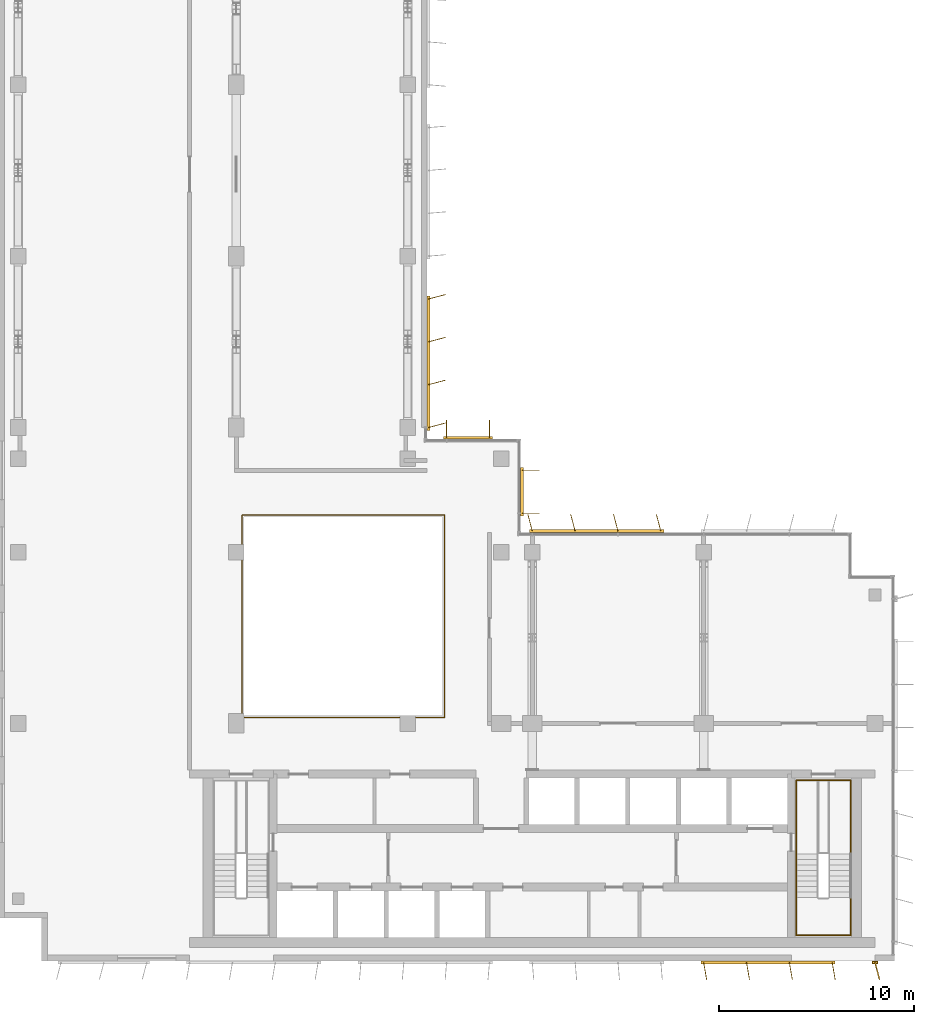
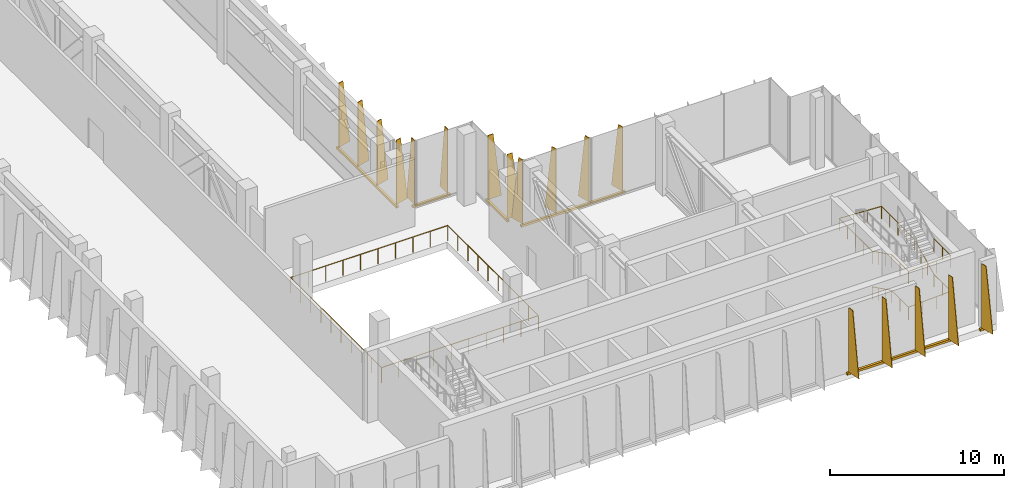
# One storey, part 11 of 13: 6 shading devices, 3 railings.
"""IFC4 building model written with IfcOpenShell, lengths in metres."""

from ifc_helpers import new_model, si_unit, direction, frame, origin, origin_2d, place, context, subcontext, project, spatial, polyline, rectangle, circle, outline, extrude, source, transform, mapped, material, layer, layer_set, type_object, element, save


model = new_model("IFC4")

# Units and contexts
model_context = context("Model", 3, precision=1e-05, world=origin(), true_north=direction((0.0, 1.0)))
body_context = subcontext(model_context, "Body", "Model", "MODEL_VIEW")
ifc_project = project(units=[si_unit("LENGTHUNIT", "METRE"), si_unit("AREAUNIT", "SQUARE_METRE"), si_unit("VOLUMEUNIT", "CUBIC_METRE"), si_unit("PLANEANGLEUNIT", "RADIAN"), si_unit("MASSUNIT", "GRAM", prefix="KILO")], contexts=[model_context])

# Site, building, storey
site_placement = place(None, origin())
site = spatial("IfcSite", under=ifc_project, at=site_placement, CompositionType="ELEMENT")
building_placement = place(site_placement, origin())
building = spatial("IfcBuilding", under=site, at=building_placement, Name="Kemantara Hotel Tower", CompositionType="ELEMENT")
storey_placement = place(building_placement, frame((0.0, 0.0, 256.10009765625)))
storey = spatial("IfcBuildingStorey", under=building, at=storey_placement, Name="L64", CompositionType="ELEMENT", Elevation=256.10009765625)

# Railings
ifc_material_1 = material(Name="Stainless steel balustrade", Category="steel")
railing_type_1 = type_object("IfcRailingType", Name="STAINLESS STEEL GUARD 1100", PredefinedType="GUARDRAIL", material=ifc_material_1)
railing_1_placement = place(storey_placement, frame((12.5, 12.5, 0.0)))
element("IfcRailing", 1, at=railing_1_placement, inside=storey, type_object=railing_type_1, Name="ATRIUM GUARD", PredefinedType="GUARDRAIL", context=body_context, shape_type="SweptSolid", body=[
    extrude(circle(Radius=0.02392578125, at=origin_2d()), frame((0.0, 0.0, 1.076171875), z_axis=(1.0, 0.0, 0.0), x_axis=(0.0, 1.0, 0.0)), (0.0, 0.0, 1.0), 10.39990234375),
    extrude(circle(Radius=0.02392578125, at=origin_2d()), frame((10.39990234375, 0.0, 1.076171875), z_axis=(0.0, 1.0, 0.0), x_axis=(-1.0, 0.0, 0.0)), (0.0, 0.0, 1.0), 10.39990234375),
    extrude(circle(Radius=0.02392578125, at=origin_2d()), frame((10.39990234375, 10.39990234375, 1.076171875), z_axis=(-1.0, 0.0, 0.0), x_axis=(0.0, -1.0, 0.0)), (0.0, 0.0, 1.0), 10.39990234375),
    extrude(circle(Radius=0.02392578125, at=origin_2d()), frame((0.0, 10.39990234375, 1.076171875), z_axis=(0.0, -1.0, 0.0), x_axis=(1.0, 0.0, 0.0)), (0.0, 0.0, 1.0), 10.39990234375),
    extrude(circle(Radius=0.02099609375, at=origin_2d()), origin(), (0.0, 0.0, 1.0), 1.052001953125),
    extrude(circle(Radius=0.02099609375, at=origin_2d()), frame((1.155517578125, 0.0, 0.0)), (0.0, 0.0, 1.0), 1.052001953125),
    extrude(circle(Radius=0.02099609375, at=origin_2d()), frame((2.31103515625, 0.0, 0.0)), (0.0, 0.0, 1.0), 1.052001953125),
    extrude(circle(Radius=0.02099609375, at=origin_2d()), frame((3.466552734375, 0.0, 0.0)), (0.0, 0.0, 1.0), 1.052001953125),
    extrude(circle(Radius=0.02099609375, at=origin_2d()), frame((4.6220703125, 0.0, 0.0)), (0.0, 0.0, 1.0), 1.052001953125),
    extrude(circle(Radius=0.02099609375, at=origin_2d()), frame((5.77783203125, 0.0, 0.0)), (0.0, 0.0, 1.0), 1.052001953125),
    extrude(circle(Radius=0.02099609375, at=origin_2d()), frame((6.933349609375, 0.0, 0.0)), (0.0, 0.0, 1.0), 1.052001953125),
    extrude(circle(Radius=0.02099609375, at=origin_2d()), frame((8.0888671875, 0.0, 0.0)), (0.0, 0.0, 1.0), 1.052001953125),
    extrude(circle(Radius=0.02099609375, at=origin_2d()), frame((9.244384765625, 0.0, 0.0)), (0.0, 0.0, 1.0), 1.052001953125),
    extrude(circle(Radius=0.02099609375, at=origin_2d()), frame((10.39990234375, 0.0, 0.0)), (0.0, 0.0, 1.0), 1.052001953125),
    extrude(circle(Radius=0.02099609375, at=origin_2d()), frame((10.39990234375, 1.155517578125, 0.0)), (0.0, 0.0, 1.0), 1.052001953125),
    extrude(circle(Radius=0.02099609375, at=origin_2d()), frame((10.39990234375, 2.31103515625, 0.0)), (0.0, 0.0, 1.0), 1.052001953125),
    extrude(circle(Radius=0.02099609375, at=origin_2d()), frame((10.39990234375, 3.466552734375, 0.0)), (0.0, 0.0, 1.0), 1.052001953125),
    extrude(circle(Radius=0.02099609375, at=origin_2d()), frame((10.39990234375, 4.6220703125, 0.0)), (0.0, 0.0, 1.0), 1.052001953125),
    extrude(circle(Radius=0.02099609375, at=origin_2d()), frame((10.39990234375, 5.77783203125, 0.0)), (0.0, 0.0, 1.0), 1.052001953125),
    extrude(circle(Radius=0.02099609375, at=origin_2d()), frame((10.39990234375, 6.933349609375, 0.0)), (0.0, 0.0, 1.0), 1.052001953125),
    extrude(circle(Radius=0.02099609375, at=origin_2d()), frame((10.39990234375, 8.0888671875, 0.0)), (0.0, 0.0, 1.0), 1.052001953125),
    extrude(circle(Radius=0.02099609375, at=origin_2d()), frame((10.39990234375, 9.244384765625, 0.0)), (0.0, 0.0, 1.0), 1.052001953125),
    extrude(circle(Radius=0.02099609375, at=origin_2d()), frame((10.39990234375, 10.39990234375, 0.0)), (0.0, 0.0, 1.0), 1.052001953125),
    extrude(circle(Radius=0.02099609375, at=origin_2d()), frame((9.244384765625, 10.39990234375, 0.0)), (0.0, 0.0, 1.0), 1.052001953125),
    extrude(circle(Radius=0.02099609375, at=origin_2d()), frame((8.0888671875, 10.39990234375, 0.0)), (0.0, 0.0, 1.0), 1.052001953125),
    extrude(circle(Radius=0.02099609375, at=origin_2d()), frame((6.933349609375, 10.39990234375, 0.0)), (0.0, 0.0, 1.0), 1.052001953125),
    extrude(circle(Radius=0.02099609375, at=origin_2d()), frame((5.77783203125, 10.39990234375, 0.0)), (0.0, 0.0, 1.0), 1.052001953125),
    extrude(circle(Radius=0.02099609375, at=origin_2d()), frame((4.6220703125, 10.39990234375, 0.0)), (0.0, 0.0, 1.0), 1.052001953125),
    extrude(circle(Radius=0.02099609375, at=origin_2d()), frame((3.466552734375, 10.39990234375, 0.0)), (0.0, 0.0, 1.0), 1.052001953125),
    extrude(circle(Radius=0.02099609375, at=origin_2d()), frame((2.31103515625, 10.39990234375, 0.0)), (0.0, 0.0, 1.0), 1.052001953125),
    extrude(circle(Radius=0.02099609375, at=origin_2d()), frame((1.155517578125, 10.39990234375, 0.0)), (0.0, 0.0, 1.0), 1.052001953125),
    extrude(circle(Radius=0.02099609375, at=origin_2d()), frame((0.0, 10.39990234375, 0.0)), (0.0, 0.0, 1.0), 1.052001953125),
    extrude(circle(Radius=0.02099609375, at=origin_2d()), frame((0.0, 9.244384765625, 0.0)), (0.0, 0.0, 1.0), 1.052001953125),
    extrude(circle(Radius=0.02099609375, at=origin_2d()), frame((0.0, 8.0888671875, 0.0)), (0.0, 0.0, 1.0), 1.052001953125),
    extrude(circle(Radius=0.02099609375, at=origin_2d()), frame((0.0, 6.933349609375, 0.0)), (0.0, 0.0, 1.0), 1.052001953125),
    extrude(circle(Radius=0.02099609375, at=origin_2d()), frame((0.0, 5.77783203125, 0.0)), (0.0, 0.0, 1.0), 1.052001953125),
    extrude(circle(Radius=0.02099609375, at=origin_2d()), frame((0.0, 4.6220703125, 0.0)), (0.0, 0.0, 1.0), 1.052001953125),
    extrude(circle(Radius=0.02099609375, at=origin_2d()), frame((0.0, 3.466552734375, 0.0)), (0.0, 0.0, 1.0), 1.052001953125),
    extrude(circle(Radius=0.02099609375, at=origin_2d()), frame((0.0, 2.31103515625, 0.0)), (0.0, 0.0, 1.0), 1.052001953125),
    extrude(circle(Radius=0.02099609375, at=origin_2d()), frame((0.0, 1.155517578125, 0.0)), (0.0, 0.0, 1.0), 1.052001953125),
])
railing_type_2 = type_object("IfcRailingType", Name="Stair handrail 900 mm", PredefinedType="HANDRAIL", material=ifc_material_1)
railing_2_placement = place(storey_placement, frame((40.949951171875, 5.5, 0.138671875)))
element("IfcRailing", 2, at=railing_2_placement, inside=storey, type_object=railing_type_2, Name="L64 ST2 stair handrail 1", PredefinedType="HANDRAIL", context=body_context, shape_type="SweptSolid", body=[
    extrude(circle(Radius=0.02392578125, at=origin_2d()), frame((0.0, 0.0, 0.8759765625), z_axis=(0.0, -0.895809322535, 0.44443858705), x_axis=(1.0, 0.0, 0.0)), (0.0, 0.0, 1.0), 2.50048828125),
    extrude(circle(Radius=0.02392578125, at=origin_2d()), frame((0.0, -2.239990234375, 1.9873046875), z_axis=(0.0, -1.0, 0.0), x_axis=(1.0, 0.0, 0.0)), (0.0, 0.0, 1.0), 1.93994140625),
    extrude(circle(Radius=0.02392578125, at=origin_2d()), frame((0.0, -4.179931640625, 1.9873046875), z_axis=(0.998775898108, 0.0, 0.04946418259), x_axis=(0.0, 1.0, 0.0)), (0.0, 0.0, 1.0), 2.803466796875),
    extrude(circle(Radius=0.02392578125, at=origin_2d()), frame((2.800048828125, -4.179931640625, 2.1259765625), z_axis=(0.0, 1.0, 0.0), x_axis=(-1.0, 0.0, 0.0)), (0.0, 0.0, 1.0), 1.93994140625),
    extrude(circle(Radius=0.02392578125, at=origin_2d()), frame((2.800048828125, -2.239990234375, 2.1259765625), z_axis=(0.0, 0.895809322535, 0.44443858705), x_axis=(-1.0, 0.0, 0.0)), (0.0, 0.0, 1.0), 2.50048828125),
    extrude(circle(Radius=0.02392578125, at=origin_2d()), frame((2.800048828125, 0.0, 3.2373046875), z_axis=(0.0, 1.0, 0.0), x_axis=(-1.0, 0.0, 0.0)), (0.0, 0.0, 1.0), 3.780029296875),
    extrude(circle(Radius=0.02099609375, at=origin_2d()), origin(), (0.0, 0.0, 1.0), 0.851806640625),
    extrude(circle(Radius=0.02099609375, at=origin_2d()), frame((0.0, -0.74658203125, 0.370361328125)), (0.0, 0.0, 1.0), 0.851806640625),
    extrude(circle(Radius=0.02099609375, at=origin_2d()), frame((0.0, -1.493408203125, 0.740966796875)), (0.0, 0.0, 1.0), 0.851806640625),
    extrude(circle(Radius=0.02099609375, at=origin_2d()), frame((0.0, -2.239990234375, 1.111328125)), (0.0, 0.0, 1.0), 0.851806640625),
    extrude(circle(Radius=0.02099609375, at=origin_2d()), frame((0.0, -3.2099609375, 1.111328125)), (0.0, 0.0, 1.0), 0.851806640625),
    extrude(circle(Radius=0.02099609375, at=origin_2d()), frame((0.0, -4.179931640625, 1.111328125)), (0.0, 0.0, 1.0), 0.851806640625),
    extrude(circle(Radius=0.02099609375, at=origin_2d()), frame((0.933349609375, -4.179931640625, 1.157470703125)), (0.0, 0.0, 1.0), 0.851806640625),
    extrude(circle(Radius=0.02099609375, at=origin_2d()), frame((1.86669921875, -4.179931640625, 1.203857421875)), (0.0, 0.0, 1.0), 0.851806640625),
    extrude(circle(Radius=0.02099609375, at=origin_2d()), frame((2.800048828125, -4.179931640625, 1.25)), (0.0, 0.0, 1.0), 0.851806640625),
    extrude(circle(Radius=0.02099609375, at=origin_2d()), frame((2.800048828125, -3.2099609375, 1.25)), (0.0, 0.0, 1.0), 0.851806640625),
    extrude(circle(Radius=0.02099609375, at=origin_2d()), frame((2.800048828125, -2.239990234375, 1.25)), (0.0, 0.0, 1.0), 0.851806640625),
    extrude(circle(Radius=0.02099609375, at=origin_2d()), frame((2.800048828125, -1.493408203125, 1.620361328125)), (0.0, 0.0, 1.0), 0.851806640625),
    extrude(circle(Radius=0.02099609375, at=origin_2d()), frame((2.800048828125, -0.74658203125, 1.990966796875)), (0.0, 0.0, 1.0), 0.851806640625),
    extrude(circle(Radius=0.02099609375, at=origin_2d()), frame((2.800048828125, 0.0, 2.361328125)), (0.0, 0.0, 1.0), 0.851806640625),
    extrude(circle(Radius=0.02099609375, at=origin_2d()), frame((2.800048828125, 0.945068359375, 2.361328125)), (0.0, 0.0, 1.0), 0.851806640625),
    extrude(circle(Radius=0.02099609375, at=origin_2d()), frame((2.800048828125, 1.89013671875, 2.361328125)), (0.0, 0.0, 1.0), 0.851806640625),
    extrude(circle(Radius=0.02099609375, at=origin_2d()), frame((2.800048828125, 2.8349609375, 2.361328125)), (0.0, 0.0, 1.0), 0.851806640625),
    extrude(circle(Radius=0.02099609375, at=origin_2d()), frame((2.800048828125, 3.780029296875, 2.361328125)), (0.0, 0.0, 1.0), 0.851806640625),
])
railing_3_placement = place(storey_placement, frame((43.75, 9.280029296875, 2.5)))
element("IfcRailing", 3, at=railing_3_placement, inside=storey, type_object=railing_type_2, Name="L64 ST2 stair handrail 2", PredefinedType="HANDRAIL", context=body_context, shape_type="SweptSolid", body=[
    extrude(circle(Radius=0.02392578125, at=origin_2d()), frame((0.0, 0.0, 0.8759765625), z_axis=(-0.998775898108, 0.0, 0.04946418259), x_axis=(0.0, -1.0, 0.0)), (0.0, 0.0, 1.0), 2.803466796875),
    extrude(circle(Radius=0.02392578125, at=origin_2d()), frame((-2.800048828125, 0.0, 1.0146484375), z_axis=(0.0, -1.0, 0.0), x_axis=(1.0, 0.0, 0.0)), (0.0, 0.0, 1.0), 3.780029296875),
    extrude(circle(Radius=0.02392578125, at=origin_2d()), frame((-2.800048828125, -3.780029296875, 1.0146484375), z_axis=(0.0, -0.895809322535, 0.44443858705), x_axis=(1.0, 0.0, 0.0)), (0.0, 0.0, 1.0), 2.50048828125),
    extrude(circle(Radius=0.02392578125, at=origin_2d()), frame((-2.800048828125, -6.02001953125, 2.1259765625), z_axis=(0.0, -1.0, 0.0), x_axis=(1.0, 0.0, 0.0)), (0.0, 0.0, 1.0), 1.93994140625),
    extrude(circle(Radius=0.02392578125, at=origin_2d()), frame((-2.800048828125, -7.9599609375, 2.1259765625), z_axis=(0.998775898108, 0.0, 0.04946418259), x_axis=(0.0, 1.0, 0.0)), (0.0, 0.0, 1.0), 2.803466796875),
    extrude(circle(Radius=0.02392578125, at=origin_2d()), frame((0.0, -7.9599609375, 2.2646484375), z_axis=(0.0, 1.0, 0.0), x_axis=(-1.0, 0.0, 0.0)), (0.0, 0.0, 1.0), 1.93994140625),
    extrude(circle(Radius=0.02099609375, at=origin_2d()), origin(), (0.0, 0.0, 1.0), 0.851806640625),
    extrude(circle(Radius=0.02099609375, at=origin_2d()), frame((-0.933349609375, 0.0, 0.046142578125)), (0.0, 0.0, 1.0), 0.851806640625),
    extrude(circle(Radius=0.02099609375, at=origin_2d()), frame((-1.86669921875, 0.0, 0.092529296875)), (0.0, 0.0, 1.0), 0.851806640625),
    extrude(circle(Radius=0.02099609375, at=origin_2d()), frame((-2.800048828125, 0.0, 0.138671875)), (0.0, 0.0, 1.0), 0.851806640625),
    extrude(circle(Radius=0.02099609375, at=origin_2d()), frame((-2.800048828125, -0.945068359375, 0.138671875)), (0.0, 0.0, 1.0), 0.851806640625),
    extrude(circle(Radius=0.02099609375, at=origin_2d()), frame((-2.800048828125, -1.89013671875, 0.138671875)), (0.0, 0.0, 1.0), 0.851806640625),
    extrude(circle(Radius=0.02099609375, at=origin_2d()), frame((-2.800048828125, -2.8349609375, 0.138671875)), (0.0, 0.0, 1.0), 0.851806640625),
    extrude(circle(Radius=0.02099609375, at=origin_2d()), frame((-2.800048828125, -3.780029296875, 0.138671875)), (0.0, 0.0, 1.0), 0.851806640625),
    extrude(circle(Radius=0.02099609375, at=origin_2d()), frame((-2.800048828125, -4.526611328125, 0.509033203125)), (0.0, 0.0, 1.0), 0.851806640625),
    extrude(circle(Radius=0.02099609375, at=origin_2d()), frame((-2.800048828125, -5.2734375, 0.879638671875)), (0.0, 0.0, 1.0), 0.851806640625),
    extrude(circle(Radius=0.02099609375, at=origin_2d()), frame((-2.800048828125, -6.02001953125, 1.25)), (0.0, 0.0, 1.0), 0.851806640625),
    extrude(circle(Radius=0.02099609375, at=origin_2d()), frame((-2.800048828125, -6.989990234375, 1.25)), (0.0, 0.0, 1.0), 0.851806640625),
    extrude(circle(Radius=0.02099609375, at=origin_2d()), frame((-2.800048828125, -7.9599609375, 1.25)), (0.0, 0.0, 1.0), 0.851806640625),
    extrude(circle(Radius=0.02099609375, at=origin_2d()), frame((-1.86669921875, -7.9599609375, 1.296142578125)), (0.0, 0.0, 1.0), 0.851806640625),
    extrude(circle(Radius=0.02099609375, at=origin_2d()), frame((-0.933349609375, -7.9599609375, 1.342529296875)), (0.0, 0.0, 1.0), 0.851806640625),
    extrude(circle(Radius=0.02099609375, at=origin_2d()), frame((0.0, -7.9599609375, 1.388671875)), (0.0, 0.0, 1.0), 0.851806640625),
    extrude(circle(Radius=0.02099609375, at=origin_2d()), frame((0.0, -6.989990234375, 1.388671875)), (0.0, 0.0, 1.0), 0.851806640625),
    extrude(circle(Radius=0.02099609375, at=origin_2d()), frame((0.0, -6.02001953125, 1.388671875)), (0.0, 0.0, 1.0), 0.851806640625),
])

# Shading devices
ifc_material_2 = material(Name="Perforated aluminium plate 4 mm bronze anodised", Category="aluminium")
ifc_layer_1 = layer(ifc_material_2, 0.0400390625)
ifc_layer_set_1 = layer_set([ifc_layer_1], Name="Perforated aluminium plate 4 mm bronze anodised")
shading_device_type_1 = type_object("IfcShadingDeviceType", Name="SCREEN FIN CASSETTE, 4 BLADES AT +10.0 DEG, 4500 HIGH", PredefinedType="USERDEFINED", material=ifc_layer_set_1)
shared_shape_1 = source(origin(), body_context, "Body", "SweptSolid", [
    extrude(rectangle(XDim=6.89990234375, YDim=0.14990234375, at=origin_2d()), frame((3.300048828125, -0.074951171875, -0.14990234375), z_axis=(0.0, 0.0, 1.0), x_axis=(1.0, 0.0, 0.0)), (0.0, 0.0, 1.0), 0.14990234375),
    extrude(outline(polyline([(0.0, 0.0), (0.89990234375, 0.0), (0.35009765625, 4.5), (0.0, 4.5), (0.0, 0.0)])), frame((0.019775390625, -0.071533203125, 0.0), z_axis=(-0.985389793052, -0.170314285219, 0.0), x_axis=(0.170314285219, -0.985389793052, 0.0)), (0.0, 0.0, 1.0), 0.0400390625),
    extrude(outline(polyline([(0.0, 0.0), (0.89990234375, 0.0), (0.35009765625, 4.5), (0.0, 4.5), (0.0, 0.0)])), frame((2.2197265625, -0.071533203125, 0.0), z_axis=(-0.98521175482, -0.171341174751, 0.0), x_axis=(0.171341174751, -0.98521175482, 0.0)), (0.0, 0.0, 1.0), 0.039794921875),
    extrude(outline(polyline([(0.0, 0.0), (0.89990234375, 0.0), (0.35009765625, 4.5), (0.0, 4.5), (0.0, 0.0)])), frame((4.419677734375, -0.071533203125, 0.0), z_axis=(-0.98521175482, -0.171341174751, 0.0), x_axis=(0.171341174751, -0.98521175482, 0.0)), (0.0, 0.0, 1.0), 0.039794921875),
    extrude(outline(polyline([(0.0, 0.0), (0.89990234375, 0.0), (0.35009765625, 4.5), (0.0, 4.5), (0.0, 0.0)])), frame((6.61962890625, -0.071533203125, 0.0), z_axis=(-0.98521175482, -0.171341174751, 0.0), x_axis=(0.171341174751, -0.98521175482, 0.0)), (0.0, 0.0, 1.0), 0.039794921875),
])
shading_device_1_placement = place(storey_placement, frame((36.199951171875, 0.0, 0.099853515625), z_axis=(0.0, 0.0, 1.0), x_axis=(1.0, 0.0, 0.0)))
element("IfcShadingDevice", 4, at=shading_device_1_placement, inside=storey, type_object=shading_device_type_1, Name="SCREEN FIN CASSETTE L64 T4-R08-5", ObjectType="SCREEN FIN", PredefinedType="USERDEFINED", context=body_context, shape_type="MappedRepresentation", body=[
    mapped(shared_shape_1, transform((0.0, 0.0, 0.0))),
])
ifc_layer_2 = layer(ifc_material_2, 0.0400390625)
ifc_layer_set_2 = layer_set([ifc_layer_2], Name="Perforated aluminium plate 4 mm bronze anodised")
shading_device_type_2 = type_object("IfcShadingDeviceType", Name="SCREEN FIN CASSETTE, 4 BLADES AT +15.0 DEG, 4500 HIGH", PredefinedType="USERDEFINED", material=ifc_layer_set_2)
shared_shape_2 = source(origin(), body_context, "Body", "SweptSolid", [
    extrude(rectangle(XDim=6.89990234375, YDim=0.14990234375, at=origin_2d()), frame((3.300048828125, -0.074951171875, -0.14990234375), z_axis=(0.0, 0.0, 1.0), x_axis=(1.0, 0.0, 0.0)), (0.0, 0.0, 1.0), 0.14990234375),
    extrude(outline(polyline([(0.0, 0.0), (0.89990234375, 0.0), (0.35009765625, 4.5), (0.0, 4.5), (0.0, 0.0)])), frame((0.019287109375, -0.06982421875, 0.0), z_axis=(-0.966437683387, -0.256901156343, 0.0), x_axis=(0.256901156343, -0.966437683387, 0.0)), (0.0, 0.0, 1.0), 0.039794921875),
    extrude(outline(polyline([(0.0, 0.0), (0.89990234375, 0.0), (0.35009765625, 4.5), (0.0, 4.5), (0.0, 0.0)])), frame((2.21923828125, -0.06982421875, 0.0), z_axis=(-0.966437683387, -0.256901156343, 0.0), x_axis=(0.256901156343, -0.966437683387, 0.0)), (0.0, 0.0, 1.0), 0.039794921875),
    extrude(outline(polyline([(0.0, 0.0), (0.89990234375, 0.0), (0.35009765625, 4.5), (0.0, 4.5), (0.0, 0.0)])), frame((4.41943359375, -0.06982421875, 0.0), z_axis=(-0.966837822169, -0.255391122837, 0.0), x_axis=(0.255391122837, -0.966837822169, 0.0)), (0.0, 0.0, 1.0), 0.0400390625),
    extrude(outline(polyline([(0.0, 0.0), (0.89990234375, 0.0), (0.35009765625, 4.5), (0.0, 4.5), (0.0, 0.0)])), frame((6.619384765625, -0.06982421875, 0.0), z_axis=(-0.966837822169, -0.255391122837, 0.0), x_axis=(0.255391122837, -0.966837822169, 0.0)), (0.0, 0.0, 1.0), 0.0400390625),
])
for number, where, z_axis, x_axis, name in (
    (5, (34.0, 22.0, 0.099853515625), (0.0, 0.0, 1.0), (-1.0, 0.0, 0.0), "SCREEN FIN CASSETTE L64 T4-R12-2"),
    (6, (22.0, 27.39990234375, 0.099853515625), (0.0, 0.0, 1.0), (0.0, 1.0, 0.0), "SCREEN FIN CASSETTE L64 T4-R15-1"),
):
    element("IfcShadingDevice", number, at=place(storey_placement, frame(where, z_axis=z_axis, x_axis=x_axis)), inside=storey, type_object=shading_device_type_2, Name=name, ObjectType="SCREEN FIN", PredefinedType="USERDEFINED", context=body_context, shape_type="MappedRepresentation", body=[
        mapped(shared_shape_2, transform((0.0, 0.0, 0.0))),
    ])
ifc_layer_3 = layer(ifc_material_2, 0.0400390625)
ifc_layer_set_3 = layer_set([ifc_layer_3], Name="Perforated aluminium plate 4 mm bronze anodised")
shading_device_type_3 = type_object("IfcShadingDeviceType", Name="SCREEN FIN CASSETTE, 1 BLADE AT +15.0 DEG, 4500 HIGH", PredefinedType="USERDEFINED", material=ifc_layer_set_3)
shared_shape_3 = source(origin(), body_context, "Body", "SweptSolid", [
    extrude(rectangle(XDim=0.300048828125, YDim=0.14990234375, at=origin_2d()), frame((0.0, -0.074951171875, -0.14990234375), z_axis=(0.0, 0.0, 1.0), x_axis=(1.0, 0.0, 0.0)), (0.0, 0.0, 1.0), 0.14990234375),
    extrude(outline(polyline([(0.0, 0.0), (0.89990234375, 0.0), (0.35009765625, 4.5), (0.0, 4.5), (0.0, 0.0)])), frame((0.019287109375, -0.06982421875, 0.0), z_axis=(-0.966437683387, -0.256901156343, 0.0), x_axis=(0.256901156343, -0.966437683387, 0.0)), (0.0, 0.0, 1.0), 0.039794921875),
])
shading_device_2_placement = place(storey_placement, frame((45.0, 0.0, 0.099853515625), z_axis=(0.0, 0.0, 1.0), x_axis=(1.0, 0.0, 0.0)))
element("IfcShadingDevice", 7, at=shading_device_2_placement, inside=storey, type_object=shading_device_type_3, Name="SCREEN FIN CASSETTE L64 T4-R08-6", ObjectType="SCREEN FIN", PredefinedType="USERDEFINED", context=body_context, shape_type="MappedRepresentation", body=[
    mapped(shared_shape_3, transform((0.0, 0.0, 0.0))),
])
ifc_layer_4 = layer(ifc_material_2, 0.0400390625)
ifc_layer_set_4 = layer_set([ifc_layer_4], Name="Perforated aluminium plate 4 mm bronze anodised")
shading_device_type_4 = type_object("IfcShadingDeviceType", Name="SCREEN FIN CASSETTE, 2 BLADES AT +0.0 DEG, 4500 HIGH", PredefinedType="USERDEFINED", material=ifc_layer_set_4)
shared_shape_4 = source(origin(), body_context, "Body", "SweptSolid", [
    extrude(rectangle(XDim=2.5, YDim=0.14990234375, at=origin_2d()), frame((1.10009765625, -0.074951171875, -0.14990234375), z_axis=(0.0, 0.0, 1.0), x_axis=(1.0, 0.0, 0.0)), (0.0, 0.0, 1.0), 0.14990234375),
    extrude(outline(polyline([(0.0, 0.0), (0.89990234375, 0.0), (0.35009765625, 4.5), (0.0, 4.5), (0.0, 0.0)])), frame((0.02001953125, -0.074951171875, 0.0), z_axis=(-1.0, 0.0, 0.0), x_axis=(0.0, -1.0, 0.0)), (0.0, 0.0, 1.0), 0.0400390625),
    extrude(outline(polyline([(0.0, 0.0), (0.89990234375, 0.0), (0.35009765625, 4.5), (0.0, 4.5), (0.0, 0.0)])), frame((2.219970703125, -0.074951171875, 0.0), z_axis=(-1.0, 0.0, 0.0), x_axis=(0.0, -1.0, 0.0)), (0.0, 0.0, 1.0), 0.0400390625),
])
for number, where, z_axis, x_axis, name in (
    (8, (26.800048828125, 23.0, 0.099853515625), (0.0, 0.0, 1.0), (0.0, 1.0, 0.0), "SCREEN FIN CASSETTE L64 T4-R13-1"),
    (9, (25.199951171875, 26.800048828125, 0.099853515625), (0.0, 0.0, 1.0), (-1.0, 0.0, 0.0), "SCREEN FIN CASSETTE L64 T4-R14-1"),
):
    element("IfcShadingDevice", number, at=place(storey_placement, frame(where, z_axis=z_axis, x_axis=x_axis)), inside=storey, type_object=shading_device_type_4, Name=name, ObjectType="SCREEN FIN", PredefinedType="USERDEFINED", context=body_context, shape_type="MappedRepresentation", body=[
        mapped(shared_shape_4, transform((0.0, 0.0, 0.0))),
    ])

save(model, "model.ifc")
